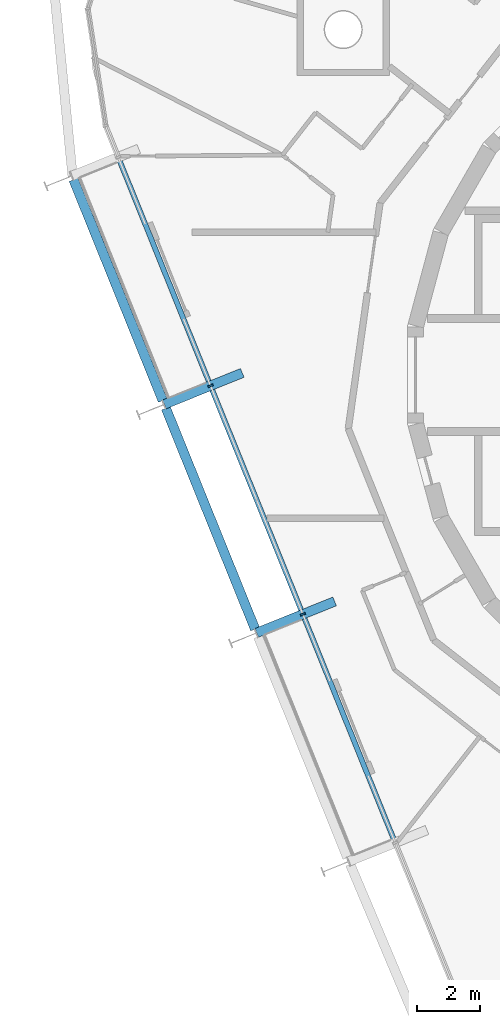
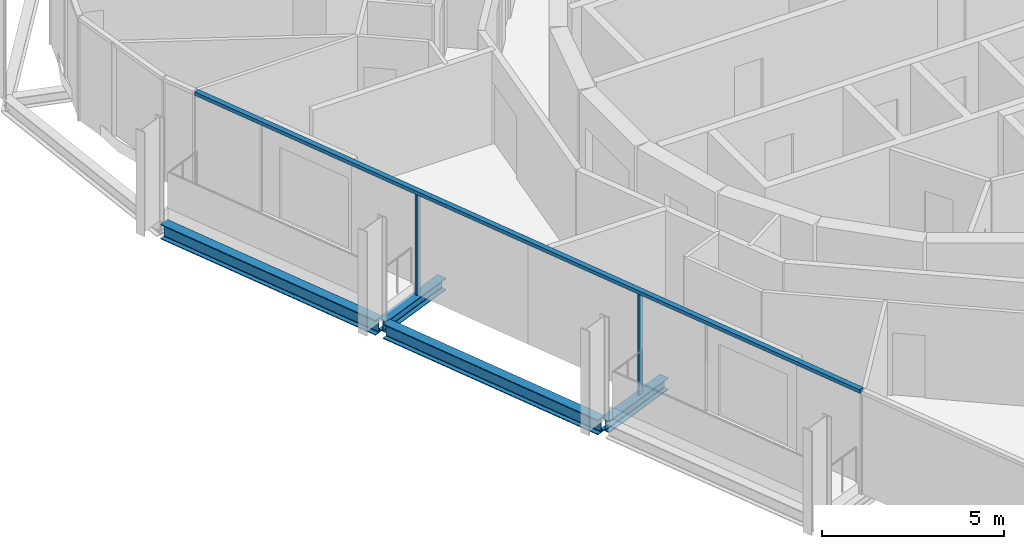
# One storey, part 3 of 15: 4 beams, 3 members, 1 element without a shape of its own.
"""IFC4 building model written with IfcOpenShell, lengths in metres."""

from ifc_helpers import new_model, si_unit, direction, frame, origin, origin_2d, place, context, subcontext, project, spatial, rectangle, i_section, extrude, material, layer, layer_set, material_profile, profile_set, type_object, element, aggregate, save


model = new_model("IFC4")

# Units and contexts
model_context = context("Model", 3, precision=1e-05, world=origin(), true_north=direction((0.0, 1.0)))
body_context = subcontext(model_context, "Body", "Model", "MODEL_VIEW")
ifc_project = project(units=[si_unit("LENGTHUNIT", "METRE"), si_unit("AREAUNIT", "SQUARE_METRE"), si_unit("VOLUMEUNIT", "CUBIC_METRE"), si_unit("PLANEANGLEUNIT", "RADIAN"), si_unit("MASSUNIT", "GRAM", prefix="KILO")], contexts=[model_context])

# Site, building, storey
site_placement = place(None, origin())
site = spatial("IfcSite", under=ifc_project, at=site_placement, CompositionType="ELEMENT")
building_placement = place(site_placement, origin())
building = spatial("IfcBuilding", under=site, at=building_placement, Name="Spindle Arch Residences", CompositionType="ELEMENT")
storey_placement = place(building_placement, frame((0.0, 0.0, 336.5)))
storey = spatial("IfcBuildingStorey", under=building, at=storey_placement, Name="L86", CompositionType="ELEMENT", Elevation=336.5)

# Curtain wall, members
ifc_material_1 = material(Name="Aluminium bronze unitised frame with tinted glass", Category="aluminium")
ifc_layer = layer(ifc_material_1, 0.159912109375)
ifc_layer_set = layer_set([ifc_layer], Name="CW-C typical residential unitised wall")
curtain_wall_type = type_object("IfcCurtainWallType", Name="CW-C typical residential unitised wall", PredefinedType="NOTDEFINED", material=ifc_layer_set)
curtain_wall_placement = place(storey_placement, origin())
curtain_wall = element("IfcCurtainWall", 1, at=curtain_wall_placement, inside=storey, type_object=curtain_wall_type, Name="CW-C L86 run 4", PredefinedType="NOTDEFINED")
ifc_material_2 = material(Name="Aluminium bronze anodised mullion", Category="aluminium")
ifc_material_profile_1 = material_profile(ifc_material_2, rectangle(XDim=0.159912109375, YDim=0.06005859375, at=origin_2d()), Name="MU 60x160")
ifc_profile_set_1 = profile_set([ifc_material_profile_1], Name="Aluminium bronze anodised mullion")
member_type_1 = type_object("IfcMemberType", Name="Bronze mullion 60x160", PredefinedType="MULLION", material=ifc_profile_set_1)
member_1_placement = place(storey_placement, frame((-18.110595703125, -0.337646484375, -0.3798828125), z_axis=(0.0, 0.0, 1.0), x_axis=(0.927183854567, 0.374606593416, 0.0)))
member_1 = element("IfcMember", 2, at=member_1_placement, type_object=member_type_1, Name="CW-C mullion 12", PredefinedType="MULLION", context=body_context, shape_type="SweptSolid", body=[
    extrude(rectangle(XDim=0.159912109375, YDim=0.06005859375, at=origin_2d()), origin(), (0.0, 0.0, 1.0), 3.3798828125),
])
member_2_placement = place(storey_placement, frame((-15.20166015625, -7.537841796875, -0.3798828125), z_axis=(0.0, 0.0, 1.0), x_axis=(0.927183854567, 0.374606593416, 0.0)))
member_2 = element("IfcMember", 3, at=member_2_placement, type_object=member_type_1, Name="CW-C mullion 13", PredefinedType="MULLION", context=body_context, shape_type="SweptSolid", body=[
    extrude(rectangle(XDim=0.159912109375, YDim=0.06005859375, at=origin_2d()), origin(), (0.0, 0.0, 1.0), 3.3798828125),
])
ifc_material_3 = material(Name="Aluminium bronze anodised transom", Category="aluminium")
ifc_material_profile_2 = material_profile(ifc_material_3, rectangle(XDim=0.159912109375, YDim=0.1201171875, at=origin_2d()), Name="TR 120x160")
ifc_profile_set_2 = profile_set([ifc_material_profile_2], Name="Aluminium bronze anodised transom")
member_type_2 = type_object("IfcMemberType", Name="Bronze transom 120x160", PredefinedType="USERDEFINED", material=ifc_profile_set_2)
member_3_placement = place(storey_placement, frame((-21.008544921875, 6.834716796875, 3.06005859375), z_axis=(0.374602019708, -0.927185702452, 0.0), x_axis=(0.927185702452, 0.374602019708, 0.0)))
member_3 = element("IfcMember", 4, at=member_3_placement, type_object=member_type_2, Name="CW-C transom 00", ObjectType="TRANSOM", PredefinedType="USERDEFINED", context=body_context, shape_type="SweptSolid", body=[
    extrude(rectangle(XDim=0.159912109375, YDim=0.1201171875, at=origin_2d()), origin(), (0.0, 0.0, 1.0), 23.23681640625),
])
aggregate(curtain_wall, [member_3, member_1, member_2])

# Beams
ifc_material_4 = material(Name="Steel S460ML, intumescent coating R 120", Category="steel")
ifc_material_profile_3 = material_profile(ifc_material_4, i_section(OverallWidth=0.300048828125, OverallDepth=0.5, WebThickness=0.014404296875, FlangeThickness=0.028076171875, FilletRadius=0.027099609375, at=origin_2d()), Name="HEB 500")
ifc_profile_set_3 = profile_set([ifc_material_profile_3], Name="Steel S460ML, intumescent coating R 120")
beam_type_1 = type_object("IfcBeamType", Name="Exoskeleton edge beam HEB 500", PredefinedType="BEAM", material=ifc_profile_set_3)
beam_1_placement = place(storey_placement, frame((-22.4267578125, 6.15380859375, -0.6298828125), z_axis=(0.374613092792, -0.927181228622, 0.0), x_axis=(0.927181228622, 0.374613092792, 0.0)))
element("IfcBeam", 5, at=beam_1_placement, inside=storey, type_object=beam_type_1, Name="Exoskeleton edge beam 12", PredefinedType="BEAM", context=body_context, shape_type="SweptSolid", body=[
    extrude(i_section(OverallWidth=0.300048828125, OverallDepth=0.5, WebThickness=0.014404296875, FlangeThickness=0.028076171875, FilletRadius=0.027099609375, at=origin_2d()), origin(), (0.0, 0.0, 1.0), 7.505859375),
])
beam_2_placement = place(storey_placement, frame((-19.517578125, -1.04638671875, -0.6298828125), z_axis=(0.374596427458, -0.927187961816, 0.0), x_axis=(0.927187961816, 0.374596427458, 0.0)))
element("IfcBeam", 6, at=beam_2_placement, inside=storey, type_object=beam_type_1, Name="Exoskeleton edge beam 13", PredefinedType="BEAM", context=body_context, shape_type="SweptSolid", body=[
    extrude(i_section(OverallWidth=0.300048828125, OverallDepth=0.5, WebThickness=0.014404296875, FlangeThickness=0.028076171875, FilletRadius=0.027099609375, at=origin_2d()), origin(), (0.0, 0.0, 1.0), 7.50537109375),
])
ifc_material_5 = material(Name="Steel S460ML, intumescent coating R 120", Category="steel")
ifc_material_profile_4 = material_profile(ifc_material_5, i_section(OverallWidth=0.300048828125, OverallDepth=0.389892578125, WebThickness=0.010986328125, FlangeThickness=0.01904296875, FilletRadius=0.027099609375, at=origin_2d()), Name="HEA 400")
ifc_profile_set_4 = profile_set([ifc_material_profile_4], Name="Steel S460ML, intumescent coating R 120")
beam_type_2 = type_object("IfcBeamType", Name="Floor outrigger HEA 400", PredefinedType="BEAM", material=ifc_profile_set_4)
beam_3_placement = place(storey_placement, frame((-19.56640625, -0.92578125, -0.574951171875), z_axis=(0.927187692393, 0.374597094323, 0.0), x_axis=(-0.374597094323, 0.927187692393, 0.0)))
element("IfcBeam", 7, at=beam_3_placement, inside=storey, type_object=beam_type_2, Name="Floor outrigger 13", PredefinedType="BEAM", context=body_context, shape_type="SweptSolid", body=[
    extrude(i_section(OverallWidth=0.300048828125, OverallDepth=0.389892578125, WebThickness=0.010986328125, FlangeThickness=0.01904296875, FilletRadius=0.027099609375, at=origin_2d()), origin(), (0.0, 0.0, 1.0), 2.64990234375),
])
beam_4_placement = place(storey_placement, frame((-16.657470703125, -8.1259765625, -0.574951171875), z_axis=(0.927200618573, 0.374565098372, 0.0), x_axis=(-0.374565098372, 0.927200618573, 0.0)))
element("IfcBeam", 8, at=beam_4_placement, inside=storey, type_object=beam_type_2, Name="Floor outrigger 14", PredefinedType="BEAM", context=body_context, shape_type="SweptSolid", body=[
    extrude(i_section(OverallWidth=0.300048828125, OverallDepth=0.389892578125, WebThickness=0.010986328125, FlangeThickness=0.01904296875, FilletRadius=0.027099609375, at=origin_2d()), origin(), (0.0, 0.0, 1.0), 2.650146484375),
])

save(model, "model.ifc")
